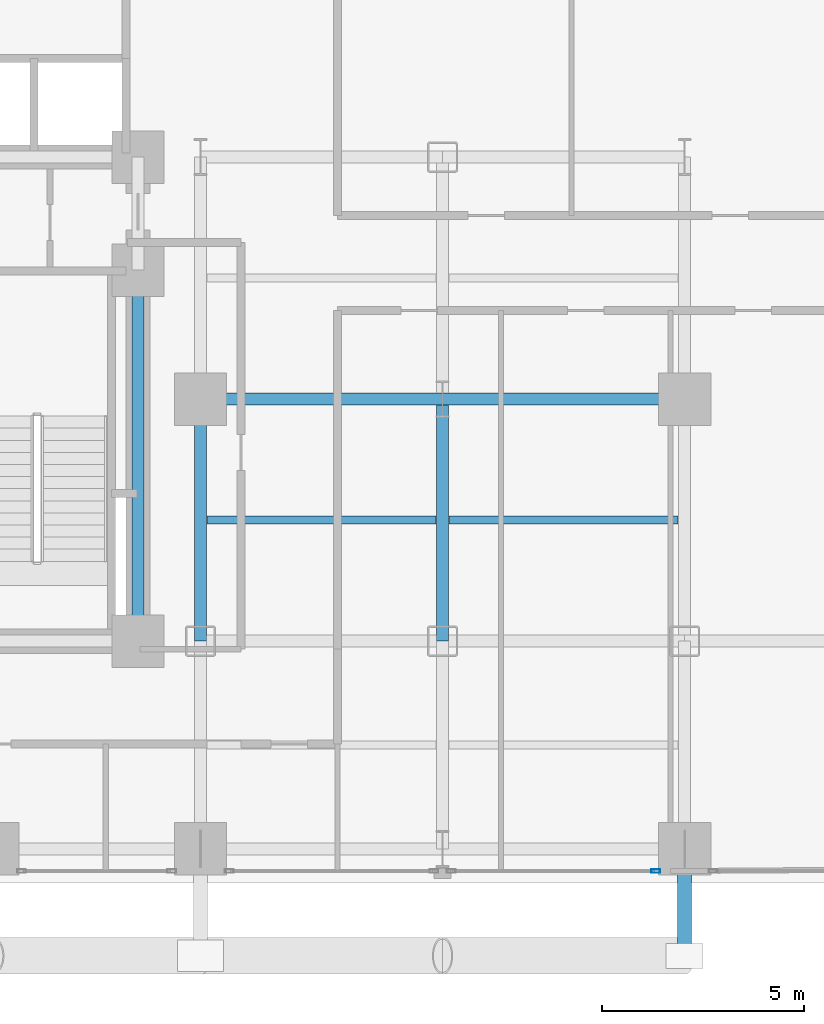
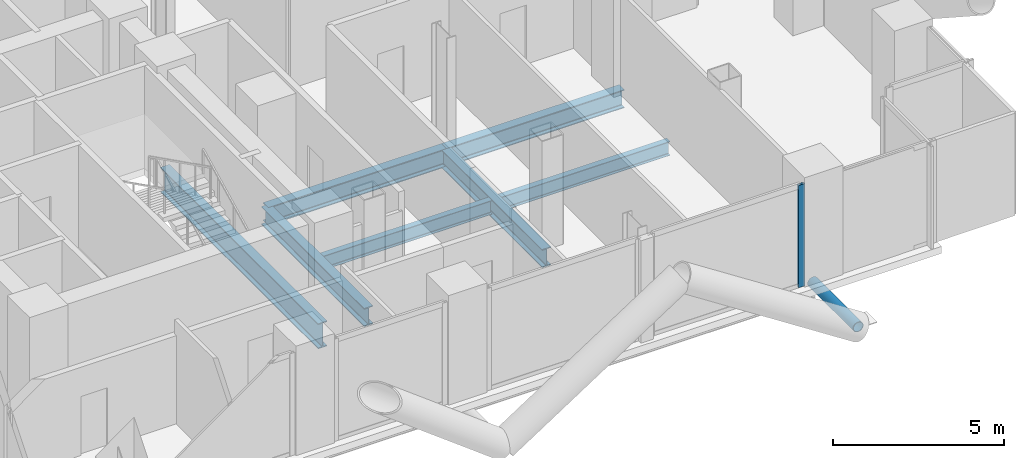
# One storey, part 9 of 25: 7 beams, 2 members, 1 element without a shape of its own.
"""IFC4 building model written with IfcOpenShell, lengths in metres."""

from ifc_helpers import new_model, si_unit, direction, frame, origin, origin_2d, place, context, subcontext, project, spatial, hollow_rectangle, hollow_circle, i_section, extrude, material, layer, layer_set, material_profile, profile_set, type_object, element, aggregate, save


model = new_model("IFC4")

# Units and contexts
model_context = context("Model", 3, precision=1e-05, world=origin(), true_north=direction((0.0, 1.0)))
body_context = subcontext(model_context, "Body", "Model", "MODEL_VIEW")
ifc_project = project(units=[si_unit("LENGTHUNIT", "METRE"), si_unit("AREAUNIT", "SQUARE_METRE"), si_unit("VOLUMEUNIT", "CUBIC_METRE"), si_unit("PLANEANGLEUNIT", "RADIAN"), si_unit("MASSUNIT", "GRAM", prefix="KILO"), si_unit("THERMODYNAMICTEMPERATUREUNIT", "KELVIN"), si_unit("POWERUNIT", "WATT")], contexts=[model_context])

# Site, building, storey
site_placement = place(None, origin())
site = spatial("IfcSite", under=ifc_project, at=site_placement, CompositionType="ELEMENT")
building_placement = place(site_placement, origin())
building = spatial("IfcBuilding", under=site, at=building_placement, Name="Svarakhadi Broadcast Tower", CompositionType="ELEMENT")
storey_placement = place(building_placement, frame((0.0, 0.0, 51.89990234375)))
storey = spatial("IfcBuildingStorey", under=building, at=storey_placement, Name="L11", CompositionType="ELEMENT", Elevation=51.89990234375)

# Beams
ifc_material_1 = material(Name="Steel S355J2 (IS 2062 E350C)", Category="steel")
ifc_material_profile_1 = material_profile(ifc_material_1, i_section(OverallWidth=0.199951171875, OverallDepth=0.5, WebThickness=0.01025390625, FlangeThickness=0.01611328125, FilletRadius=0.02099609375, at=origin_2d()), Name="NPB 500x200x91")
ifc_profile_set_1 = profile_set([ifc_material_profile_1], Name="Steel S355J2 (IS 2062 E350C)")
beam_type_1 = type_object("IfcBeamType", Name="Beam_NPB500", PredefinedType="BEAM", material=ifc_profile_set_1)
for number, where, z_axis, x_axis, name in (
    (1, (35.31005859375, 9.0, -0.5), (1.0, 0.0, 0.0), (0.0, 1.0, 0.0), "L11 Secondary Composite Beam SB023"),
    (2, (41.31005859375, 9.0, -0.5), (1.0, 0.0, 0.0), (0.0, 1.0, 0.0), "L11 Secondary Composite Beam SB026"),
):
    element("IfcBeam", number, at=place(storey_placement, frame(where, z_axis=z_axis, x_axis=x_axis)), inside=storey, type_object=beam_type_1, Name=name, PredefinedType="BEAM", context=body_context, shape_type="SweptSolid", body=[
        extrude(i_section(OverallWidth=0.199951171875, OverallDepth=0.5, WebThickness=0.01025390625, FlangeThickness=0.01611328125, FilletRadius=0.02099609375, at=origin_2d()), origin(), (0.0, 0.0, 1.0), 5.679931640625),
    ])

# Curtain wall, member
ifc_material_2 = material(Name="Anodised Bronze Aluminium AA 6063-T6", Category="aluminium")
ifc_layer = layer(ifc_material_2, 0.219970703125)
ifc_layer_set = layer_set([ifc_layer], Name="Anodised Bronze Aluminium AA 6063-T6")
curtain_wall_type = type_object("IfcCurtainWallType", Name="CW_Sys_02", PredefinedType="NOTDEFINED", material=ifc_layer_set)
curtain_wall_placement = place(storey_placement, origin())
curtain_wall = element("IfcCurtainWall", 3, at=curtain_wall_placement, inside=storey, type_object=curtain_wall_type, Name="L11 South Curtain Wall 16 Bay 2", PredefinedType="NOTDEFINED")
ifc_material_profile_2 = material_profile(ifc_material_2, hollow_rectangle(XDim=0.0849609375, YDim=0.219970703125, WallThickness=0.006103515625, at=origin_2d()), Name="ALU MULLION 220x85x6")
ifc_profile_set_2 = profile_set([ifc_material_profile_2], Name="Anodised Bronze Aluminium AA 6063-T6")
member_type_1 = type_object("IfcMemberType", Name="CW_Sys_02_Mul", PredefinedType="MULLION", material=ifc_profile_set_2)
member_1_placement = place(storey_placement, frame((46.4375, 0.300048828125, 0.0), z_axis=(0.0, 0.0, 1.0), x_axis=(0.0, -1.0, 0.0)))
member_1 = element("IfcMember", 4, at=member_1_placement, type_object=member_type_1, Name="CW-02 mullion 1", PredefinedType="MULLION", context=body_context, shape_type="SweptSolid", body=[
    extrude(hollow_rectangle(XDim=0.0849609375, YDim=0.219970703125, WallThickness=0.006103515625, at=origin_2d()), origin(), (0.0, 0.0, 1.0), 3.650146484375),
])
aggregate(curtain_wall, [member_1])

# Member
ifc_material_3 = material(Name="Steel S460ML (IS 2062 E450BR)", Category="steel")
ifc_material_profile_3 = material_profile(ifc_material_3, hollow_circle(Radius=0.177734375, WallThickness=0.02001953125, at=origin_2d()), Name="CHS 355.6x20")
ifc_profile_set_3 = profile_set([ifc_material_profile_3], Name="Steel S460ML (IS 2062 E450BR)")
member_type_2 = type_object("IfcMemberType", Name="Exo_Radial_Strut_Z1", PredefinedType="STRUT", material=ifc_profile_set_3)
member_2_placement = place(storey_placement, frame((47.14990234375, -1.800048828125, -0.427734375), z_axis=(0.0, 1.0, 0.0), x_axis=(-1.0, 0.0, 0.0)))
element("IfcMember", 5, at=member_2_placement, inside=storey, type_object=member_type_2, Name="L11 Exoskeleton Radial Tie Strut S03", PredefinedType="STRUT", context=body_context, shape_type="SweptSolid", body=[
    extrude(hollow_circle(Radius=0.177734375, WallThickness=0.02001953125, at=origin_2d()), origin(), (0.0, 0.0, 1.0), 2.650146484375),
])

# Beams
ifc_material_profile_4 = material_profile(ifc_material_1, i_section(OverallWidth=0.300048828125, OverallDepth=0.64990234375, WebThickness=0.01611328125, FlangeThickness=0.031005859375, FilletRadius=0.027099609375, at=origin_2d()), Name="WPB 650x300x225")
ifc_profile_set_4 = profile_set([ifc_material_profile_4], Name="Steel S355J2 (IS 2062 E350C)")
beam_type_2 = type_object("IfcBeamType", Name="Girder_WPB650", PredefinedType="USERDEFINED", material=ifc_profile_set_4)
for number, where, z_axis, x_axis, name in (
    (6, (35.14990234375, 12.0, -0.574951171875), (1.0, 0.0, 0.0), (0.0, 1.0, 0.0), "L11 Primary E-W Girder G023"),
    (7, (41.14990234375, 12.0, -0.574951171875), (1.0, 0.0, 0.0), (0.0, 1.0, 0.0), "L11 Primary E-W Girder G024"),
    (8, (35.14990234375, 6.0, -0.574951171875), (0.0, 1.0, 0.0), (-1.0, 0.0, 0.0), "L11 Primary N-S Girder G077"),
    (9, (41.14990234375, 6.0, -0.574951171875), (0.0, 1.0, 0.0), (-1.0, 0.0, 0.0), "L11 Primary N-S Girder G080"),
):
    element("IfcBeam", number, at=place(storey_placement, frame(where, z_axis=z_axis, x_axis=x_axis)), inside=storey, type_object=beam_type_2, Name=name, ObjectType="GIRDER", PredefinedType="USERDEFINED", context=body_context, shape_type="SweptSolid", body=[
        extrude(i_section(OverallWidth=0.300048828125, OverallDepth=0.64990234375, WebThickness=0.01611328125, FlangeThickness=0.031005859375, FilletRadius=0.027099609375, at=origin_2d()), origin(), (0.0, 0.0, 1.0), 6.0),
    ])
ifc_material_profile_5 = material_profile(ifc_material_3, i_section(OverallWidth=0.300048828125, OverallDepth=0.89990234375, WebThickness=0.0185546875, FlangeThickness=0.034912109375, FilletRadius=0.030029296875, at=origin_2d()), Name="WPB 900x300x291")
ifc_profile_set_5 = profile_set([ifc_material_profile_5], Name="Steel S460ML (IS 2062 E450BR)")
beam_type_3 = type_object("IfcBeamType", Name="Girder_WPB900", PredefinedType="USERDEFINED", material=ifc_profile_set_5)
beam_placement = place(storey_placement, frame((33.60009765625, 6.0, -0.699951171875), z_axis=(0.0, 1.0, 0.0), x_axis=(-1.0, 0.0, 0.0)))
element("IfcBeam", 10, at=beam_placement, inside=storey, type_object=beam_type_3, Name="L11 Primary N-S Girder G074", ObjectType="GIRDER", PredefinedType="USERDEFINED", context=body_context, shape_type="SweptSolid", body=[
    extrude(i_section(OverallWidth=0.300048828125, OverallDepth=0.89990234375, WebThickness=0.0185546875, FlangeThickness=0.034912109375, FilletRadius=0.030029296875, at=origin_2d()), origin(), (0.0, 0.0, 1.0), 9.199951171875),
])

save(model, "model.ifc")
